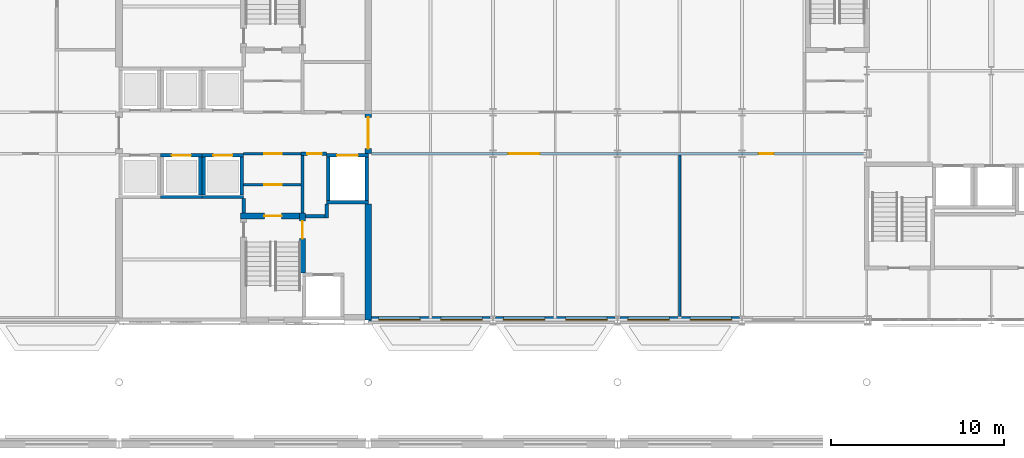
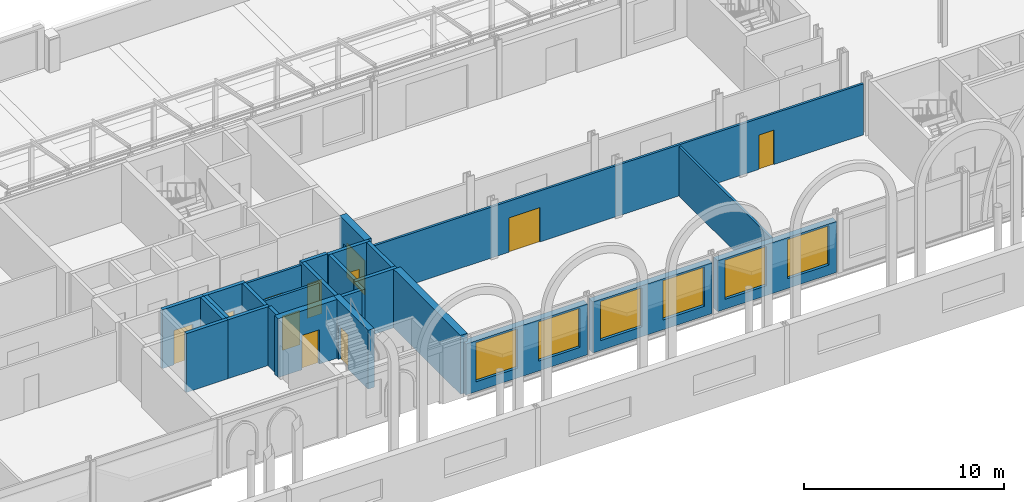
# One storey, part 79 of 143: 27 walls, 11 doors, 6 windows, 17 openings.
"""IFC4 building model written with IfcOpenShell, lengths in metres."""

from ifc_helpers import new_model, si_unit, direction, frame, frame_2d, origin, place, context, subcontext, project, spatial, rectangle, extrude, material, layer, layer_set, type_object, element, fill, save


model = new_model("IFC4")

# Units and contexts
model_context = context("Model", 3, precision=1e-05, world=origin(), true_north=direction((0.0, 1.0)))
body_context = subcontext(model_context, "Body", "Model", "MODEL_VIEW")
ifc_project = project(units=[si_unit("LENGTHUNIT", "METRE"), si_unit("AREAUNIT", "SQUARE_METRE"), si_unit("VOLUMEUNIT", "CUBIC_METRE"), si_unit("PLANEANGLEUNIT", "RADIAN"), si_unit("MASSUNIT", "GRAM", prefix="KILO")], contexts=[model_context])

# Site, building, storey
site_placement = place(None, origin())
site = spatial("IfcSite", under=ifc_project, at=site_placement, CompositionType="ELEMENT")
building_placement = place(site_placement, origin())
building = spatial("IfcBuilding", under=site, at=building_placement, Name="Kupolbacken Congress Centre", CompositionType="ELEMENT")
storey_placement = place(building_placement, frame((0.0, 0.0, 7.199951171875)))
storey = spatial("IfcBuildingStorey", under=building, at=storey_placement, Name="L02", CompositionType="ELEMENT", Elevation=7.199951171875)

# Wall, openings, windows
ifc_material_1 = material(Name="Limestone", Category="masonry")
ifc_layer_1 = layer(ifc_material_1, 0.1201171875)
ifc_material_2 = material(Name="Air cavity", Category="air")
ifc_layer_2 = layer(ifc_material_2, 0.0400390625, ventilated=True)
ifc_material_3 = material(Name="Mineral wool", Category="insulation")
ifc_layer_3 = layer(ifc_material_3, 0.169921875)
ifc_material_4 = material(Name="Steel studs", Category="metal")
ifc_layer_4 = layer(ifc_material_4, 0.050048828125)
ifc_layer_set_1 = layer_set([ifc_layer_1, ifc_layer_2, ifc_layer_3, ifc_layer_4], Name="Limestone / Mineral wool / Steel studs")
wall_type_1 = type_object("IfcWallType", Name="EW03 external cavity wall 380", PredefinedType="SOLIDWALL", material=ifc_layer_set_1)
wall_1_placement = place(storey_placement, frame((108.0, 122.39990234375, 0.0), z_axis=(0.0, 0.0, 1.0), x_axis=(1.0, 0.0, 0.0)))
wall_1 = element("IfcWall", 1, at=wall_1_placement, inside=storey, type_object=wall_type_1, Name="E/T/S/L02/026", PredefinedType="SOLIDWALL", context=body_context, shape_type="SweptSolid", body=[
    extrude(rectangle(XDim=7.04638671875, YDim=0.3798828125, at=frame_2d((3.523193359375, 0.0))), origin(), (0.0, 0.0, 1.0), 3.1201171875),
])
opening_1_placement = place(wall_1_placement, frame((0.60009765625, 0.0, 0.60009765625)))
opening_1 = element("IfcOpeningElement", 2, at=opening_1_placement, cuts=wall_1, Name="Opening W30", PredefinedType="OPENING", context=body_context, shape_type="SweptSolid", body=[
    extrude(rectangle(XDim=2.39990234375, YDim=2.39990234375, at=frame_2d((1.199951171875, 1.199951171875))), frame((0.0, 0.199951171875, 0.0), z_axis=(0.0, -1.0, 0.0), x_axis=(1.0, 0.0, 0.0)), (0.0, 0.0, 1.0), 0.39990234375),
])
opening_2_placement = place(wall_1_placement, frame((4.199951171875, 0.0, 0.60009765625)))
opening_2 = element("IfcOpeningElement", 3, at=opening_2_placement, cuts=wall_1, Name="Opening W30", PredefinedType="OPENING", context=body_context, shape_type="SweptSolid", body=[
    extrude(rectangle(XDim=2.39990234375, YDim=2.39990234375, at=frame_2d((1.199951171875, 1.199951171875))), frame((0.0, 0.199951171875, 0.0), z_axis=(0.0, -1.0, 0.0), x_axis=(1.0, 0.0, 0.0)), (0.0, 0.0, 1.0), 0.39990234375),
])
ifc_material_5 = material(Name="Aluminium frame with double or triple glazing", Category="aluminium")
window_type = type_object("IfcWindowType", Name="W30 window 2400x2400", PartitioningType="DOUBLE_PANEL_VERTICAL", PredefinedType="WINDOW", material=ifc_material_5)
window_1_placement = place(opening_1_placement, origin())
window_1 = element("IfcWindow", 4, at=window_1_placement, inside=storey, type_object=window_type, Name="E/T/S/L02/026/W1", OverallHeight=2.39990234375, OverallWidth=2.39990234375, PartitioningType="SINGLE_PANEL", PredefinedType="WINDOW", context=body_context, shape_type="SweptSolid", body=[
    extrude(rectangle(XDim=2.39990234375, YDim=2.39990234375, at=frame_2d((1.199951171875, 1.199951171875))), frame((0.0, 0.030029296875, 0.0), z_axis=(0.0, -1.0, 0.0), x_axis=(1.0, 0.0, 0.0)), (0.0, 0.0, 1.0), 0.06005859375),
])
fill(opening_1, window_1)
window_2_placement = place(opening_2_placement, origin())
window_2 = element("IfcWindow", 5, at=window_2_placement, inside=storey, type_object=window_type, Name="E/T/S/L02/026/W2", OverallHeight=2.39990234375, OverallWidth=2.39990234375, PartitioningType="SINGLE_PANEL", PredefinedType="WINDOW", context=body_context, shape_type="SweptSolid", body=[
    extrude(rectangle(XDim=2.39990234375, YDim=2.39990234375, at=frame_2d((1.199951171875, 1.199951171875))), frame((0.0, 0.030029296875, 0.0), z_axis=(0.0, -1.0, 0.0), x_axis=(1.0, 0.0, 0.0)), (0.0, 0.0, 1.0), 0.06005859375),
])
fill(opening_2, window_2)

wall_2_placement = place(storey_placement, frame((115.353515625, 122.39990234375, 0.0), z_axis=(0.0, 0.0, 1.0), x_axis=(1.0, 0.0, 0.0)))
wall_2 = element("IfcWall", 6, at=wall_2_placement, inside=storey, type_object=wall_type_1, Name="E/T/S/L02/027", PredefinedType="SOLIDWALL", context=body_context, shape_type="SweptSolid", body=[
    extrude(rectangle(XDim=6.89306640625, YDim=0.3798828125, at=frame_2d((3.446533203125, 0.0))), origin(), (0.0, 0.0, 1.0), 3.1201171875),
])
opening_3_placement = place(wall_2_placement, frame((0.446533203125, 0.0, 0.60009765625)))
opening_3 = element("IfcOpeningElement", 7, at=opening_3_placement, cuts=wall_2, Name="Opening W30", PredefinedType="OPENING", context=body_context, shape_type="SweptSolid", body=[
    extrude(rectangle(XDim=2.39990234375, YDim=2.39990234375, at=frame_2d((1.199951171875, 1.199951171875))), frame((0.0, 0.199951171875, 0.0), z_axis=(0.0, -1.0, 0.0), x_axis=(1.0, 0.0, 0.0)), (0.0, 0.0, 1.0), 0.39990234375),
])
opening_4_placement = place(wall_2_placement, frame((4.04638671875, 0.0, 0.60009765625)))
opening_4 = element("IfcOpeningElement", 8, at=opening_4_placement, cuts=wall_2, Name="Opening W30", PredefinedType="OPENING", context=body_context, shape_type="SweptSolid", body=[
    extrude(rectangle(XDim=2.39990234375, YDim=2.39990234375, at=frame_2d((1.199951171875, 1.199951171875))), frame((0.0, 0.199951171875, 0.0), z_axis=(0.0, -1.0, 0.0), x_axis=(1.0, 0.0, 0.0)), (0.0, 0.0, 1.0), 0.39990234375),
])
window_3_placement = place(opening_3_placement, origin())
window_3 = element("IfcWindow", 9, at=window_3_placement, inside=storey, type_object=window_type, Name="E/T/S/L02/027/W1", OverallHeight=2.39990234375, OverallWidth=2.39990234375, PartitioningType="SINGLE_PANEL", PredefinedType="WINDOW", context=body_context, shape_type="SweptSolid", body=[
    extrude(rectangle(XDim=2.39990234375, YDim=2.39990234375, at=frame_2d((1.199951171875, 1.199951171875))), frame((0.0, 0.030029296875, 0.0), z_axis=(0.0, -1.0, 0.0), x_axis=(1.0, 0.0, 0.0)), (0.0, 0.0, 1.0), 0.06005859375),
])
fill(opening_3, window_3)
window_4_placement = place(opening_4_placement, origin())
window_4 = element("IfcWindow", 10, at=window_4_placement, inside=storey, type_object=window_type, Name="E/T/S/L02/027/W2", OverallHeight=2.39990234375, OverallWidth=2.39990234375, PartitioningType="SINGLE_PANEL", PredefinedType="WINDOW", context=body_context, shape_type="SweptSolid", body=[
    extrude(rectangle(XDim=2.39990234375, YDim=2.39990234375, at=frame_2d((1.199951171875, 1.199951171875))), frame((0.0, 0.030029296875, 0.0), z_axis=(0.0, -1.0, 0.0), x_axis=(1.0, 0.0, 0.0)), (0.0, 0.0, 1.0), 0.06005859375),
])
fill(opening_4, window_4)

wall_3_placement = place(storey_placement, frame((122.553466796875, 122.39990234375, 0.0), z_axis=(0.0, 0.0, 1.0), x_axis=(1.0, 0.0, 0.0)))
wall_3 = element("IfcWall", 11, at=wall_3_placement, inside=storey, type_object=wall_type_1, Name="E/T/S/L02/028", PredefinedType="SOLIDWALL", context=body_context, shape_type="SweptSolid", body=[
    extrude(rectangle(XDim=6.89306640625, YDim=0.3798828125, at=frame_2d((3.446533203125, 0.0))), origin(), (0.0, 0.0, 1.0), 3.1201171875),
])
opening_5_placement = place(wall_3_placement, frame((0.446533203125, 0.0, 0.60009765625)))
opening_5 = element("IfcOpeningElement", 12, at=opening_5_placement, cuts=wall_3, Name="Opening W30", PredefinedType="OPENING", context=body_context, shape_type="SweptSolid", body=[
    extrude(rectangle(XDim=2.39990234375, YDim=2.39990234375, at=frame_2d((1.199951171875, 1.199951171875))), frame((0.0, 0.199951171875, 0.0), z_axis=(0.0, -1.0, 0.0), x_axis=(1.0, 0.0, 0.0)), (0.0, 0.0, 1.0), 0.39990234375),
])
opening_6_placement = place(wall_3_placement, frame((4.04638671875, 0.0, 0.60009765625)))
opening_6 = element("IfcOpeningElement", 13, at=opening_6_placement, cuts=wall_3, Name="Opening W30", PredefinedType="OPENING", context=body_context, shape_type="SweptSolid", body=[
    extrude(rectangle(XDim=2.39990234375, YDim=2.39990234375, at=frame_2d((1.199951171875, 1.199951171875))), frame((0.0, 0.199951171875, 0.0), z_axis=(0.0, -1.0, 0.0), x_axis=(1.0, 0.0, 0.0)), (0.0, 0.0, 1.0), 0.39990234375),
])
window_5_placement = place(opening_5_placement, origin())
window_5 = element("IfcWindow", 14, at=window_5_placement, inside=storey, type_object=window_type, Name="E/T/S/L02/028/W1", OverallHeight=2.39990234375, OverallWidth=2.39990234375, PartitioningType="SINGLE_PANEL", PredefinedType="WINDOW", context=body_context, shape_type="SweptSolid", body=[
    extrude(rectangle(XDim=2.39990234375, YDim=2.39990234375, at=frame_2d((1.199951171875, 1.199951171875))), frame((0.0, 0.030029296875, 0.0), z_axis=(0.0, -1.0, 0.0), x_axis=(1.0, 0.0, 0.0)), (0.0, 0.0, 1.0), 0.06005859375),
])
fill(opening_5, window_5)
window_6_placement = place(opening_6_placement, origin())
window_6 = element("IfcWindow", 15, at=window_6_placement, inside=storey, type_object=window_type, Name="E/T/S/L02/028/W2", OverallHeight=2.39990234375, OverallWidth=2.39990234375, PartitioningType="SINGLE_PANEL", PredefinedType="WINDOW", context=body_context, shape_type="SweptSolid", body=[
    extrude(rectangle(XDim=2.39990234375, YDim=2.39990234375, at=frame_2d((1.199951171875, 1.199951171875))), frame((0.0, 0.030029296875, 0.0), z_axis=(0.0, -1.0, 0.0), x_axis=(1.0, 0.0, 0.0)), (0.0, 0.0, 1.0), 0.06005859375),
])
fill(opening_6, window_6)

# Wall, openings, doors
ifc_material_6 = material(Name="Gypsum board", Category="drywall")
ifc_layer_5 = layer(ifc_material_6, 0.135009765625)
ifc_layer_set_2 = layer_set([ifc_layer_5], Name="Gypsum board")
wall_type_2 = type_object("IfcWallType", Name="P06 compartment wall 135", PredefinedType="PARTITIONING", material=ifc_layer_set_2)
wall_4_placement = place(storey_placement, frame((108.199951171875, 132.0, 0.0), z_axis=(0.0, 0.0, 1.0), x_axis=(1.0, 0.0, 0.0)))
wall_4 = element("IfcWall", 16, at=wall_4_placement, inside=storey, type_object=wall_type_2, Name="T/wall/L02/x/13200/10800", PredefinedType="PARTITIONING", context=body_context, shape_type="SweptSolid", body=[
    extrude(rectangle(XDim=28.41015625, YDim=0.135009765625, at=frame_2d((14.205078125, 0.0))), origin(), (0.0, 0.0, 1.0), 3.1201171875),
])
opening_7_placement = place(wall_4_placement, frame((7.89990234375, 0.0, 0.0)))
opening_7 = element("IfcOpeningElement", 17, at=opening_7_placement, cuts=wall_4, Name="Opening D14", PredefinedType="OPENING", context=body_context, shape_type="SweptSolid", body=[
    extrude(rectangle(XDim=1.800048828125, YDim=2.10009765625, at=frame_2d((0.89990234375, 1.050048828125))), frame((0.0, 0.077392578125, 0.0), z_axis=(0.0, -1.0, 0.0), x_axis=(1.0, 0.0, 0.0)), (0.0, 0.0, 1.0), 0.155029296875),
])
opening_8_placement = place(wall_4_placement, frame((22.375, 0.0, 0.0)))
opening_8 = element("IfcOpeningElement", 18, at=opening_8_placement, cuts=wall_4, Name="Opening D3", PredefinedType="OPENING", context=body_context, shape_type="SweptSolid", body=[
    extrude(rectangle(XDim=0.85009765625, YDim=2.10009765625, at=frame_2d((0.425048828125, 1.050048828125))), frame((0.0, 0.077392578125, 0.0), z_axis=(0.0, -1.0, 0.0), x_axis=(1.0, 0.0, 0.0)), (0.0, 0.0, 1.0), 0.155029296875),
])
ifc_material_7 = material(Name="Steel fire door leaf", Category="steel")
door_type_1 = type_object("IfcDoorType", Name="D14 fire door 1800x2100", OperationType="DOUBLE_DOOR_SINGLE_SWING", PredefinedType="DOOR", material=ifc_material_7)
door_1_placement = place(opening_7_placement, origin())
door_1 = element("IfcDoor", 19, at=door_1_placement, inside=storey, type_object=door_type_1, Name="T/wall/L02/x/13200/10800/D-SRV-D", OperationType="DOUBLE_DOOR_SINGLE_SWING", OverallHeight=2.10009765625, OverallWidth=1.800048828125, PredefinedType="DOOR", context=body_context, shape_type="SweptSolid", body=[
    extrude(rectangle(XDim=1.800048828125, YDim=2.10009765625, at=frame_2d((0.89990234375, 1.050048828125))), frame((0.0, 0.02490234375, 0.0), z_axis=(0.0, -1.0, 0.0), x_axis=(1.0, 0.0, 0.0)), (0.0, 0.0, 1.0), 0.050048828125),
])
fill(opening_7, door_1)
ifc_material_8 = material(Name="Steel fire door leaf", Category="steel")
door_type_2 = type_object("IfcDoorType", Name="D3 fire door 850x2100", OperationType="SINGLE_SWING_LEFT", PredefinedType="DOOR", material=ifc_material_8)
door_2_placement = place(opening_8_placement, origin())
door_2 = element("IfcDoor", 20, at=door_2_placement, inside=storey, type_object=door_type_2, Name="T/wall/L02/x/13200/10800/D-BST-D", OperationType="SINGLE_SWING_RIGHT", OverallHeight=2.10009765625, OverallWidth=0.85009765625, PredefinedType="DOOR", context=body_context, shape_type="SweptSolid", body=[
    extrude(rectangle(XDim=0.85009765625, YDim=2.10009765625, at=frame_2d((0.425048828125, 1.050048828125))), frame((0.0, 0.02490234375, 0.0), z_axis=(0.0, -1.0, 0.0), x_axis=(1.0, 0.0, 0.0)), (0.0, 0.0, 1.0), 0.050048828125),
])
fill(opening_8, door_2)

# Wall
wall_5_placement = place(storey_placement, frame((126.0, 122.590087890625, 0.0), z_axis=(0.0, 0.0, 1.0), x_axis=(0.0, 1.0, 0.0)))
element("IfcWall", 21, at=wall_5_placement, inside=storey, type_object=wall_type_2, Name="T/wall/L02/y/12600/12240", PredefinedType="PARTITIONING", context=body_context, shape_type="SweptSolid", body=[
    extrude(rectangle(XDim=9.342529296875, YDim=0.135009765625, at=frame_2d((4.67138671875, 0.0))), origin(), (0.0, 0.0, 1.0), 3.02001953125),
])

# Wall, opening, door
ifc_material_9 = material(Name="Aerated concrete block", Category="masonry")
ifc_layer_6 = layer(ifc_material_9, 0.139892578125)
ifc_layer_set_3 = layer_set([ifc_layer_6], Name="Aerated concrete block")
wall_type_3 = type_object("IfcWallType", Name="P14 compartment wall 140", PredefinedType="PARTITIONING", material=ifc_layer_set_3)
wall_6_placement = place(storey_placement, frame((100.800048828125, 130.199951171875, 0.0), z_axis=(0.0, 0.0, 1.0), x_axis=(1.0, 0.0, 0.0)))
wall_6 = element("IfcWall", 22, at=wall_6_placement, inside=storey, type_object=wall_type_3, Name="T/wall/L02/x/13020/10080", PredefinedType="PARTITIONING", context=body_context, shape_type="SweptSolid", body=[
    extrude(rectangle(XDim=3.300048828125, YDim=0.139892578125, at=frame_2d((1.64990234375, 0.0))), origin(), (0.0, 0.0, 1.0), 3.420166015625),
])
opening_9_placement = place(wall_6_placement, frame((1.199951171875, 0.0, 0.0)))
opening_9 = element("IfcOpeningElement", 23, at=opening_9_placement, cuts=wall_6, Name="Opening D5", PredefinedType="OPENING", context=body_context, shape_type="SweptSolid", body=[
    extrude(rectangle(XDim=1.0, YDim=2.10009765625, at=frame_2d((0.5, 1.050048828125))), frame((0.0, 0.079833984375, 0.0), z_axis=(0.0, -1.0, 0.0), x_axis=(1.0, 0.0, 0.0)), (0.0, 0.0, 1.0), 0.159912109375),
])
ifc_material_10 = material(Name="Steel fire door leaf", Category="steel")
door_type_3 = type_object("IfcDoorType", Name="D5 stair door 1000x2100", OperationType="SINGLE_SWING_LEFT", PredefinedType="DOOR", material=ifc_material_10)
door_3_placement = place(opening_9_placement, frame((1.0, 0.0, 0.0), z_axis=(0.0, 0.0, 1.0), x_axis=(-1.0, 0.0, 0.0)))
door_3 = element("IfcDoor", 24, at=door_3_placement, inside=storey, type_object=door_type_3, Name="T/wall/L02/x/13020/10080/D-TS1-LK2", OperationType="SINGLE_SWING_RIGHT", OverallHeight=2.10009765625, OverallWidth=1.0, PredefinedType="DOOR", context=body_context, shape_type="SweptSolid", body=[
    extrude(rectangle(XDim=1.0, YDim=2.10009765625, at=frame_2d((0.5, 1.050048828125))), frame((0.0, 0.02490234375, 0.0), z_axis=(0.0, -1.0, 0.0), x_axis=(1.0, 0.0, 0.0)), (0.0, 0.0, 1.0), 0.050048828125),
])
fill(opening_9, door_3)

wall_7_placement = place(storey_placement, frame((100.800048828125, 132.0, 0.0), z_axis=(0.0, 0.0, 1.0), x_axis=(1.0, 0.0, 0.0)))
wall_7 = element("IfcWall", 25, at=wall_7_placement, inside=storey, type_object=wall_type_3, Name="T/wall/L02/x/13200/10080", PredefinedType="PARTITIONING", context=body_context, shape_type="SweptSolid", body=[
    extrude(rectangle(XDim=3.300048828125, YDim=0.139892578125, at=frame_2d((1.64990234375, 0.0))), origin(), (0.0, 0.0, 1.0), 3.420166015625),
])
opening_10_placement = place(wall_7_placement, frame((1.199951171875, 0.0, 0.0)))
opening_10 = element("IfcOpeningElement", 26, at=opening_10_placement, cuts=wall_7, Name="Opening D5", PredefinedType="OPENING", context=body_context, shape_type="SweptSolid", body=[
    extrude(rectangle(XDim=1.0, YDim=2.10009765625, at=frame_2d((0.5, 1.050048828125))), frame((0.0, 0.079833984375, 0.0), z_axis=(0.0, -1.0, 0.0), x_axis=(1.0, 0.0, 0.0)), (0.0, 0.0, 1.0), 0.159912109375),
])
door_4_placement = place(opening_10_placement, origin())
door_4 = element("IfcDoor", 27, at=door_4_placement, inside=storey, type_object=door_type_3, Name="T/wall/L02/x/13200/10080/D-TS1-LK3", OperationType="SINGLE_SWING_LEFT", OverallHeight=2.10009765625, OverallWidth=1.0, PredefinedType="DOOR", context=body_context, shape_type="SweptSolid", body=[
    extrude(rectangle(XDim=1.0, YDim=2.10009765625, at=frame_2d((0.5, 1.050048828125))), frame((0.0, 0.02490234375, 0.0), z_axis=(0.0, -1.0, 0.0), x_axis=(1.0, 0.0, 0.0)), (0.0, 0.0, 1.0), 0.050048828125),
])
fill(opening_10, door_4)

# Walls
ifc_material_11 = material(Name="Concrete C40/50", Category="concrete")
ifc_layer_7 = layer(ifc_material_11, 0.199951171875)
ifc_layer_set_4 = layer_set([ifc_layer_7], Name="Concrete C40/50")
wall_type_4 = type_object("IfcWallType", Name="WC1 RC shaft wall 200", PredefinedType="SHEAR", material=ifc_layer_set_4)
wall_8_placement = place(storey_placement, frame((100.800048828125, 128.574951171875, 0.0), z_axis=(0.0, 0.0, 1.0), x_axis=(0.0, 1.0, 0.0)))
element("IfcWall", 28, at=wall_8_placement, inside=storey, type_object=wall_type_4, Name="Shaft wall L02-091", PredefinedType="SHEAR", context=body_context, shape_type="SweptSolid", body=[
    extrude(rectangle(XDim=0.824951171875, YDim=0.199951171875, at=frame_2d((0.41259765625, 0.0))), origin(), (0.0, 0.0, 1.0), 3.60009765625),
])
wall_9_placement = place(storey_placement, frame((104.375, 128.39990234375, 0.0), z_axis=(0.0, 0.0, 1.0), x_axis=(1.0, 0.0, 0.0)))
element("IfcWall", 29, at=wall_9_placement, inside=storey, type_object=wall_type_4, Name="Shaft wall L02-093", PredefinedType="SHEAR", context=body_context, shape_type="SweptSolid", body=[
    extrude(rectangle(XDim=1.324951171875, YDim=0.199951171875, at=frame_2d((0.66259765625, 0.0))), origin(), (0.0, 0.0, 1.0), 3.60009765625),
])
wall_10_placement = place(storey_placement, frame((105.60009765625, 128.300048828125, 0.0), z_axis=(0.0, 0.0, 1.0), x_axis=(0.0, 1.0, 0.0)))
element("IfcWall", 30, at=wall_10_placement, inside=storey, type_object=wall_type_4, Name="Shaft wall L02-094", PredefinedType="SHEAR", context=body_context, shape_type="SweptSolid", body=[
    extrude(rectangle(XDim=0.800048828125, YDim=0.199951171875, at=frame_2d((0.39990234375, 0.0))), origin(), (0.0, 0.0, 1.0), 3.60009765625),
])
wall_11_placement = place(storey_placement, frame((104.199951171875, 132.10009765625, 0.0), z_axis=(0.0, 0.0, 1.0), x_axis=(0.0, -1.0, 0.0)))
element("IfcWall", 31, at=wall_11_placement, inside=storey, type_object=wall_type_4, Name="Shaft wall L02-109", PredefinedType="SHEAR", context=body_context, shape_type="SweptSolid", body=[
    extrude(rectangle(XDim=3.525146484375, YDim=0.199951171875, at=frame_2d((1.7626953125, 0.0))), origin(), (0.0, 0.0, 1.0), 3.60009765625),
])

# Wall, opening, door
wall_12_placement = place(storey_placement, frame((105.60009765625, 132.0, 0.0), z_axis=(0.0, 0.0, 1.0), x_axis=(-1.0, 0.0, 0.0)))
wall_12 = element("IfcWall", 32, at=wall_12_placement, inside=storey, type_object=wall_type_4, Name="Shaft wall L02-110", PredefinedType="SHEAR", context=body_context, shape_type="SweptSolid", body=[
    extrude(rectangle(XDim=1.5, YDim=0.199951171875, at=frame_2d((0.75, 0.0))), origin(), (0.0, 0.0, 1.0), 3.60009765625),
])
opening_11_placement = place(wall_12_placement, frame((0.27490234375, 0.0, 0.0)))
opening_11 = element("IfcOpeningElement", 33, at=opening_11_placement, cuts=wall_12, Name="Opening D3", PredefinedType="OPENING", context=body_context, shape_type="SweptSolid", body=[
    extrude(rectangle(XDim=0.85009765625, YDim=2.10009765625, at=frame_2d((0.425048828125, 1.050048828125))), frame((0.0, 0.10986328125, 0.0), z_axis=(0.0, -1.0, 0.0), x_axis=(1.0, 0.0, 0.0)), (0.0, 0.0, 1.0), 0.219970703125),
])
door_5_placement = place(opening_11_placement, origin())
door_5 = element("IfcDoor", 34, at=door_5_placement, inside=storey, type_object=door_type_2, Name="S/core/L02/110/D-TR3-A", OperationType="SINGLE_SWING_LEFT", OverallHeight=2.10009765625, OverallWidth=0.85009765625, PredefinedType="DOOR", context=body_context, shape_type="SweptSolid", body=[
    extrude(rectangle(XDim=0.85009765625, YDim=2.10009765625, at=frame_2d((0.425048828125, 1.050048828125))), frame((0.0, 0.02490234375, 0.0), z_axis=(0.0, -1.0, 0.0), x_axis=(1.0, 0.0, 0.0)), (0.0, 0.0, 1.0), 0.050048828125),
])
fill(opening_11, door_5)

# Wall
wall_13_placement = place(storey_placement, frame((96.0, 129.5, 0.0), z_axis=(0.0, 0.0, 1.0), x_axis=(1.0, 0.0, 0.0)))
element("IfcWall", 35, at=wall_13_placement, inside=storey, type_object=wall_type_4, Name="Shaft wall LP10", PredefinedType="SHEAR", context=body_context, shape_type="SweptSolid", body=[
    extrude(rectangle(XDim=2.39990234375, YDim=0.199951171875, at=frame_2d((1.199951171875, 0.0))), origin(), (0.0, 0.0, 1.0), 3.60009765625),
])

# Wall, opening, door
wall_14_placement = place(storey_placement, frame((96.0, 131.89990234375, 0.0), z_axis=(0.0, 0.0, 1.0), x_axis=(1.0, 0.0, 0.0)))
wall_14 = element("IfcWall", 36, at=wall_14_placement, inside=storey, type_object=wall_type_4, Name="Shaft wall LP10", PredefinedType="SHEAR", context=body_context, shape_type="SweptSolid", body=[
    extrude(rectangle(XDim=2.39990234375, YDim=0.199951171875, at=frame_2d((1.199951171875, 0.0))), origin(), (0.0, 0.0, 1.0), 3.60009765625),
])
opening_12_placement = place(wall_14_placement, frame((0.64990234375, 0.0, 0.0)))
opening_12 = element("IfcOpeningElement", 37, at=opening_12_placement, cuts=wall_14, Name="Opening LD2", PredefinedType="OPENING", context=body_context, shape_type="SweptSolid", body=[
    extrude(rectangle(XDim=1.10009765625, YDim=2.10009765625, at=frame_2d((0.550048828125, 1.050048828125))), frame((0.0, 0.10986328125, 0.0), z_axis=(0.0, -1.0, 0.0), x_axis=(1.0, 0.0, 0.0)), (0.0, 0.0, 1.0), 0.219970703125),
])
ifc_material_12 = material(Name="Stainless steel door leaf", Category="steel")
door_type_4 = type_object("IfcDoorType", Name="LD2 lift landing door 1100x2100", OperationType="SLIDING_TO_LEFT", PredefinedType="DOOR", material=ifc_material_12)
door_6_placement = place(opening_12_placement, origin())
door_6 = element("IfcDoor", 38, at=door_6_placement, inside=storey, type_object=door_type_4, Name="Lift landing door LP10", OperationType="SLIDING_TO_LEFT", OverallHeight=2.10009765625, OverallWidth=1.10009765625, PredefinedType="DOOR", context=body_context, shape_type="SweptSolid", body=[
    extrude(rectangle(XDim=1.10009765625, YDim=2.10009765625, at=frame_2d((0.550048828125, 1.050048828125))), frame((0.0, 0.02490234375, 0.0), z_axis=(0.0, -1.0, 0.0), x_axis=(1.0, 0.0, 0.0)), (0.0, 0.0, 1.0), 0.050048828125),
])
fill(opening_12, door_6)

# Walls
wall_15_placement = place(storey_placement, frame((98.300048828125, 129.60009765625, 0.0), z_axis=(0.0, 0.0, 1.0), x_axis=(0.0, 1.0, 0.0)))
element("IfcWall", 39, at=wall_15_placement, inside=storey, type_object=wall_type_4, Name="Shaft wall LP10", PredefinedType="SHEAR", context=body_context, shape_type="SweptSolid", body=[
    extrude(rectangle(XDim=2.199951171875, YDim=0.199951171875, at=frame_2d((1.10009765625, 0.0))), origin(), (0.0, 0.0, 1.0), 3.60009765625),
])
wall_16_placement = place(storey_placement, frame((98.39990234375, 129.5, 0.0), z_axis=(0.0, 0.0, 1.0), x_axis=(1.0, 0.0, 0.0)))
element("IfcWall", 40, at=wall_16_placement, inside=storey, type_object=wall_type_4, Name="Shaft wall LP11", PredefinedType="SHEAR", context=body_context, shape_type="SweptSolid", body=[
    extrude(rectangle(XDim=2.400146484375, YDim=0.199951171875, at=frame_2d((1.2001953125, 0.0))), origin(), (0.0, 0.0, 1.0), 3.60009765625),
])

# Wall, opening, door
wall_17_placement = place(storey_placement, frame((98.39990234375, 131.89990234375, 0.0), z_axis=(0.0, 0.0, 1.0), x_axis=(1.0, 0.0, 0.0)))
wall_17 = element("IfcWall", 41, at=wall_17_placement, inside=storey, type_object=wall_type_4, Name="Shaft wall LP11", PredefinedType="SHEAR", context=body_context, shape_type="SweptSolid", body=[
    extrude(rectangle(XDim=2.400146484375, YDim=0.199951171875, at=frame_2d((1.2001953125, 0.0))), origin(), (0.0, 0.0, 1.0), 3.60009765625),
])
opening_13_placement = place(wall_17_placement, frame((0.64990234375, 0.0, 0.0)))
opening_13 = element("IfcOpeningElement", 42, at=opening_13_placement, cuts=wall_17, Name="Opening LD2", PredefinedType="OPENING", context=body_context, shape_type="SweptSolid", body=[
    extrude(rectangle(XDim=1.10009765625, YDim=2.10009765625, at=frame_2d((0.550048828125, 1.050048828125))), frame((0.0, 0.10986328125, 0.0), z_axis=(0.0, -1.0, 0.0), x_axis=(1.0, 0.0, 0.0)), (0.0, 0.0, 1.0), 0.219970703125),
])
door_7_placement = place(opening_13_placement, origin())
door_7 = element("IfcDoor", 43, at=door_7_placement, inside=storey, type_object=door_type_4, Name="Lift landing door LP11", OperationType="SLIDING_TO_LEFT", OverallHeight=2.10009765625, OverallWidth=1.10009765625, PredefinedType="DOOR", context=body_context, shape_type="SweptSolid", body=[
    extrude(rectangle(XDim=1.10009765625, YDim=2.10009765625, at=frame_2d((0.550048828125, 1.050048828125))), frame((0.0, 0.02490234375, 0.0), z_axis=(0.0, -1.0, 0.0), x_axis=(1.0, 0.0, 0.0)), (0.0, 0.0, 1.0), 0.050048828125),
])
fill(opening_13, door_7)

# Walls
for number, where, z_axis, x_axis, name in (
    (44, (98.5, 129.60009765625, 0.0), (0.0, 0.0, 1.0), (0.0, 1.0, 0.0), "Shaft wall LP11"),
    (45, (100.699951171875, 129.60009765625, 0.0), (0.0, 0.0, 1.0), (0.0, 1.0, 0.0), "Shaft wall LP11"),
):
    element("IfcWall", number, at=place(storey_placement, frame(where, z_axis=z_axis, x_axis=x_axis)), inside=storey, type_object=wall_type_4, Name=name, PredefinedType="SHEAR", context=body_context, shape_type="SweptSolid", body=[
        extrude(rectangle(XDim=2.199951171875, YDim=0.199951171875, at=frame_2d((1.10009765625, 0.0))), origin(), (0.0, 0.0, 1.0), 3.60009765625),
    ])
wall_18_placement = place(storey_placement, frame((105.60009765625, 129.199951171875, 0.0), z_axis=(0.0, 0.0, 1.0), x_axis=(1.0, 0.0, 0.0)))
element("IfcWall", 46, at=wall_18_placement, inside=storey, type_object=wall_type_4, Name="Shaft wall LV1", PredefinedType="SHEAR", context=body_context, shape_type="SweptSolid", body=[
    extrude(rectangle(XDim=2.39990234375, YDim=0.199951171875, at=frame_2d((1.199951171875, 0.0))), origin(), (0.0, 0.0, 1.0), 3.60009765625),
])

# Wall, opening, door
wall_19_placement = place(storey_placement, frame((105.60009765625, 131.89990234375, 0.0), z_axis=(0.0, 0.0, 1.0), x_axis=(1.0, 0.0, 0.0)))
wall_19 = element("IfcWall", 47, at=wall_19_placement, inside=storey, type_object=wall_type_4, Name="Shaft wall LV1", PredefinedType="SHEAR", context=body_context, shape_type="SweptSolid", body=[
    extrude(rectangle(XDim=2.39990234375, YDim=0.199951171875, at=frame_2d((1.199951171875, 0.0))), origin(), (0.0, 0.0, 1.0), 3.60009765625),
])
opening_14_placement = place(wall_19_placement, frame((0.60009765625, 0.0, 0.0)))
opening_14 = element("IfcOpeningElement", 48, at=opening_14_placement, cuts=wall_19, Name="Opening LD1", PredefinedType="OPENING", context=body_context, shape_type="SweptSolid", body=[
    extrude(rectangle(XDim=1.199951171875, YDim=2.10009765625, at=frame_2d((0.60009765625, 1.050048828125))), frame((0.0, 0.10986328125, 0.0), z_axis=(0.0, -1.0, 0.0), x_axis=(1.0, 0.0, 0.0)), (0.0, 0.0, 1.0), 0.219970703125),
])
ifc_material_13 = material(Name="Stainless steel door leaf", Category="steel")
door_type_5 = type_object("IfcDoorType", Name="LD1 lift landing door 1200x2100", OperationType="SLIDING_TO_LEFT", PredefinedType="DOOR", material=ifc_material_13)
door_8_placement = place(opening_14_placement, origin())
door_8 = element("IfcDoor", 49, at=door_8_placement, inside=storey, type_object=door_type_5, Name="Lift landing door LV1", OperationType="SLIDING_TO_LEFT", OverallHeight=2.10009765625, OverallWidth=1.199951171875, PredefinedType="DOOR", context=body_context, shape_type="SweptSolid", body=[
    extrude(rectangle(XDim=1.199951171875, YDim=2.10009765625, at=frame_2d((0.60009765625, 1.050048828125))), frame((0.0, 0.02490234375, 0.0), z_axis=(0.0, -1.0, 0.0), x_axis=(1.0, 0.0, 0.0)), (0.0, 0.0, 1.0), 0.050048828125),
])
fill(opening_14, door_8)

# Walls
for number, where, z_axis, x_axis, name in (
    (50, (105.699951171875, 129.300048828125, 0.0), (0.0, 0.0, 1.0), (0.0, 1.0, 0.0), "Shaft wall LV1"),
    (51, (107.89990234375, 129.300048828125, 0.0), (0.0, 0.0, 1.0), (0.0, 1.0, 0.0), "Shaft wall LV1"),
):
    element("IfcWall", number, at=place(storey_placement, frame(where, z_axis=z_axis, x_axis=x_axis)), inside=storey, type_object=wall_type_4, Name=name, PredefinedType="SHEAR", context=body_context, shape_type="SweptSolid", body=[
        extrude(rectangle(XDim=2.5, YDim=0.199951171875, at=frame_2d((1.25, 0.0))), origin(), (0.0, 0.0, 1.0), 3.60009765625),
    ])

# Wall, opening, door
ifc_material_14 = material(Name="Concrete C40/50", Category="concrete")
ifc_layer_8 = layer(ifc_material_14, 0.35009765625)
ifc_layer_set_5 = layer_set([ifc_layer_8], Name="Concrete C40/50")
wall_type_5 = type_object("IfcWallType", Name="WC4 RC core wall 350", PredefinedType="SHEAR", material=ifc_layer_set_5)
wall_20_placement = place(storey_placement, frame((104.199951171875, 125.10009765625, 0.0), z_axis=(0.0, 0.0, 1.0), x_axis=(0.0, 1.0, 0.0)))
wall_20 = element("IfcWall", 52, at=wall_20_placement, inside=storey, type_object=wall_type_5, Name="Core wall L02-081", PredefinedType="SHEAR", context=body_context, shape_type="SweptSolid", body=[
    extrude(rectangle(XDim=3.474853515625, YDim=0.35009765625, at=frame_2d((1.7373046875, 0.0))), origin(), (0.0, 0.0, 1.0), 3.60009765625),
])
opening_15_placement = place(wall_20_placement, frame((2.0, 0.0, 0.0)))
opening_15 = element("IfcOpeningElement", 53, at=opening_15_placement, cuts=wall_20, Name="Opening D5", PredefinedType="OPENING", context=body_context, shape_type="SweptSolid", body=[
    extrude(rectangle(XDim=1.0, YDim=2.10009765625, at=frame_2d((0.5, 1.050048828125))), frame((0.0, 0.18505859375, 0.0), z_axis=(0.0, -1.0, 0.0), x_axis=(1.0, 0.0, 0.0)), (0.0, 0.0, 1.0), 0.3701171875),
])
door_9_placement = place(opening_15_placement, origin())
door_9 = element("IfcDoor", 54, at=door_9_placement, inside=storey, type_object=door_type_3, Name="S/core/L02/081/D-TFL1-A", OperationType="SINGLE_SWING_LEFT", OverallHeight=2.10009765625, OverallWidth=1.0, PredefinedType="DOOR", context=body_context, shape_type="SweptSolid", body=[
    extrude(rectangle(XDim=1.0, YDim=2.10009765625, at=frame_2d((0.5, 1.050048828125))), frame((0.0, 0.02490234375, 0.0), z_axis=(0.0, -1.0, 0.0), x_axis=(1.0, 0.0, 0.0)), (0.0, 0.0, 1.0), 0.050048828125),
])
fill(opening_15, door_9)

wall_21_placement = place(storey_placement, frame((104.375, 128.39990234375, 0.0), z_axis=(0.0, 0.0, 1.0), x_axis=(-1.0, 0.0, 0.0)))
wall_21 = element("IfcWall", 55, at=wall_21_placement, inside=storey, type_object=wall_type_5, Name="Core wall L02-092", PredefinedType="SHEAR", context=body_context, shape_type="SweptSolid", body=[
    extrude(rectangle(XDim=3.75, YDim=0.35009765625, at=frame_2d((1.875, 0.0))), origin(), (0.0, 0.0, 1.0), 3.60009765625),
])
opening_16_placement = place(wall_21_placement, frame((1.375, 0.0, 0.0)))
opening_16 = element("IfcOpeningElement", 56, at=opening_16_placement, cuts=wall_21, Name="Opening D5", PredefinedType="OPENING", context=body_context, shape_type="SweptSolid", body=[
    extrude(rectangle(XDim=1.0, YDim=2.10009765625, at=frame_2d((0.5, 1.050048828125))), frame((0.0, 0.18505859375, 0.0), z_axis=(0.0, -1.0, 0.0), x_axis=(1.0, 0.0, 0.0)), (0.0, 0.0, 1.0), 0.3701171875),
])
door_10_placement = place(opening_16_placement, origin())
door_10 = element("IfcDoor", 57, at=door_10_placement, inside=storey, type_object=door_type_3, Name="S/core/L02/092/D-TS1-LK1", OperationType="SINGLE_SWING_RIGHT", OverallHeight=2.10009765625, OverallWidth=1.0, PredefinedType="DOOR", context=body_context, shape_type="SweptSolid", body=[
    extrude(rectangle(XDim=1.0, YDim=2.10009765625, at=frame_2d((0.5, 1.050048828125))), frame((0.0, 0.02490234375, 0.0), z_axis=(0.0, -1.0, 0.0), x_axis=(1.0, 0.0, 0.0)), (0.0, 0.0, 1.0), 0.050048828125),
])
fill(opening_16, door_10)

# Wall
ifc_material_15 = material(Name="Concrete C40/50", Category="concrete")
ifc_layer_9 = layer(ifc_material_15, 0.39990234375)
ifc_layer_set_6 = layer_set([ifc_layer_9], Name="Concrete C40/50")
wall_type_6 = type_object("IfcWallType", Name="WC5 RC core wall 400", PredefinedType="SHEAR", material=ifc_layer_set_6)
wall_22_placement = place(storey_placement, frame((108.0, 122.39990234375, 0.0), z_axis=(0.0, 0.0, 1.0), x_axis=(0.0, 1.0, 0.0)))
element("IfcWall", 58, at=wall_22_placement, inside=storey, type_object=wall_type_6, Name="Core wall L02-080", PredefinedType="SHEAR", context=body_context, shape_type="SweptSolid", body=[
    extrude(rectangle(XDim=6.7001953125, YDim=0.39990234375, at=frame_2d((3.35009765625, 0.0))), origin(), (0.0, 0.0, 1.0), 3.60009765625),
])

# Wall, opening, door
wall_23_placement = place(storey_placement, frame((108.0, 132.0, 0.0), z_axis=(0.0, 0.0, 1.0), x_axis=(0.0, 1.0, 0.0)))
wall_23 = element("IfcWall", 59, at=wall_23_placement, inside=storey, type_object=wall_type_6, Name="Core wall L02-111", PredefinedType="SHEAR", context=body_context, shape_type="SweptSolid", body=[
    extrude(rectangle(XDim=2.5, YDim=0.39990234375, at=frame_2d((1.25, 0.0))), origin(), (0.0, 0.0, 1.0), 3.60009765625),
])
opening_17_placement = place(wall_23_placement, frame((0.300048828125, 0.0, 0.0)))
opening_17 = element("IfcOpeningElement", 60, at=opening_17_placement, cuts=wall_23, Name="Opening D14", PredefinedType="OPENING", context=body_context, shape_type="SweptSolid", body=[
    extrude(rectangle(XDim=1.800048828125, YDim=2.10009765625, at=frame_2d((0.89990234375, 1.050048828125))), frame((0.0, 0.2099609375, 0.0), z_axis=(0.0, -1.0, 0.0), x_axis=(1.0, 0.0, 0.0)), (0.0, 0.0, 1.0), 0.419921875),
])
door_11_placement = place(opening_17_placement, frame((1.800048828125, 0.0, 0.0), z_axis=(0.0, 0.0, 1.0), x_axis=(-1.0, 0.0, 0.0)))
door_11 = element("IfcDoor", 61, at=door_11_placement, inside=storey, type_object=door_type_1, Name="S/core/L02/111/D-CX-E", OperationType="DOUBLE_DOOR_SINGLE_SWING", OverallHeight=2.10009765625, OverallWidth=1.800048828125, PredefinedType="DOOR", context=body_context, shape_type="SweptSolid", body=[
    extrude(rectangle(XDim=1.800048828125, YDim=2.10009765625, at=frame_2d((0.89990234375, 1.050048828125))), frame((0.0, 0.02490234375, 0.0), z_axis=(0.0, -1.0, 0.0), x_axis=(1.0, 0.0, 0.0)), (0.0, 0.0, 1.0), 0.050048828125),
])
fill(opening_17, door_11)

save(model, "model.ifc")
